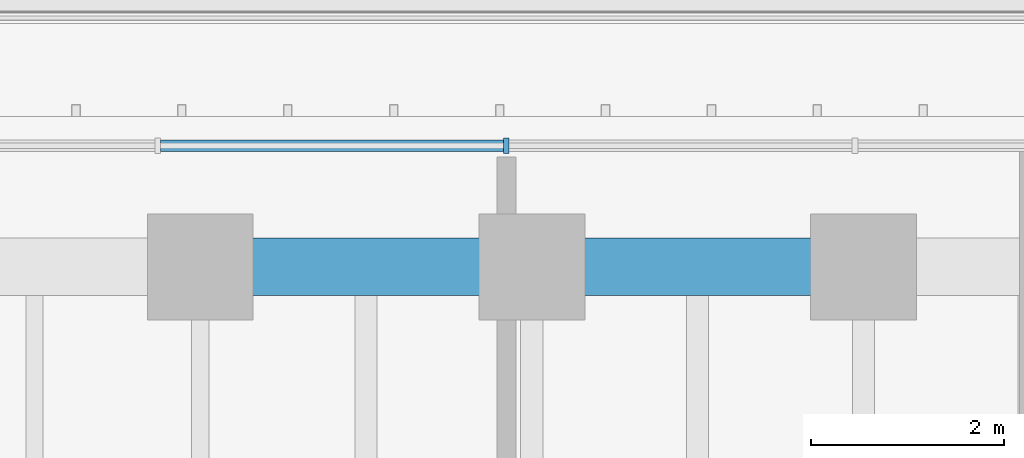
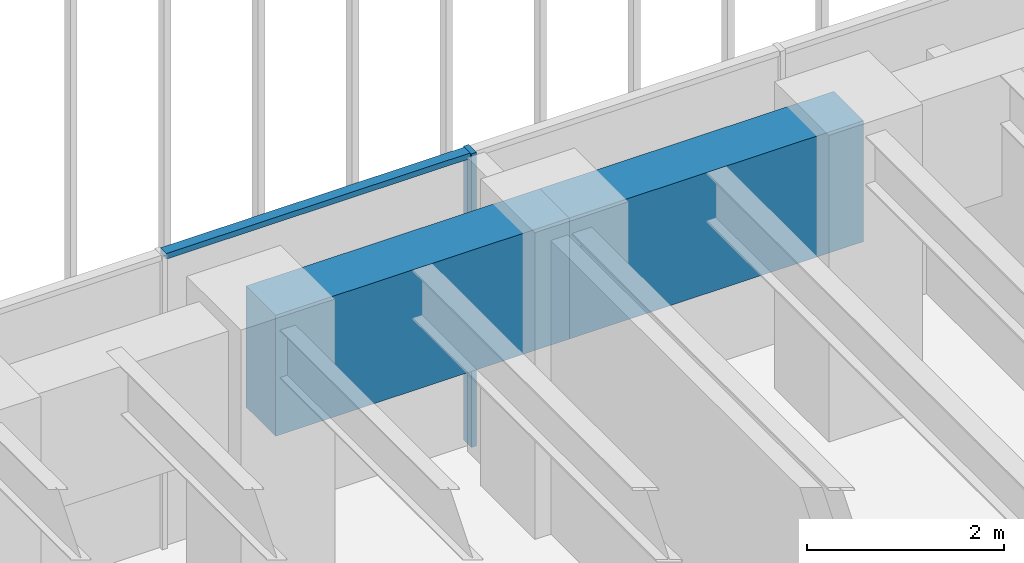
# One storey, part 76 of 127: 2 beams, 2 members, 1 element without a shape of its own.
"""IFC4 building model written with IfcOpenShell, lengths in metres."""

from ifc_helpers import new_model, si_unit, direction, frame, origin, origin_2d, place, context, subcontext, project, spatial, rectangle, extrude, material, material_profile, profile_set, type_object, element, aggregate, save


model = new_model("IFC4")

# Units and contexts
model_context = context("Model", 3, precision=1e-05, world=origin(), true_north=direction((0.0, 1.0)))
body_context = subcontext(model_context, "Body", "Model", "MODEL_VIEW")
ifc_project = project(units=[si_unit("LENGTHUNIT", "METRE"), si_unit("AREAUNIT", "SQUARE_METRE"), si_unit("VOLUMEUNIT", "CUBIC_METRE"), si_unit("PLANEANGLEUNIT", "RADIAN"), si_unit("MASSUNIT", "GRAM", prefix="KILO")], contexts=[model_context])

# Site, building, storey
site_placement = place(None, origin())
site = spatial("IfcSite", under=ifc_project, at=site_placement, CompositionType="ELEMENT")
building_placement = place(site_placement, origin())
building = spatial("IfcBuilding", under=site, at=building_placement, Name="Sandreach Pilgrim Tower", CompositionType="ELEMENT")
storey_placement = place(building_placement, frame((0.0, 0.0, 257.0)))
storey = spatial("IfcBuildingStorey", under=building, at=storey_placement, Name="L64", CompositionType="ELEMENT", Elevation=257.0)

# Curtain wall, members
ifc_material_1 = material(Name="Aluminium framed curtain wall", Category="aluminium")
curtain_wall_type = type_object("IfcCurtainWallType", Name="Suite tower curtain wall", PredefinedType="NOTDEFINED", material=ifc_material_1)
curtain_wall_placement = place(storey_placement, origin())
curtain_wall = element("IfcCurtainWall", 1, at=curtain_wall_placement, inside=storey, type_object=curtain_wall_type, Name="CW-4 L64 N", PredefinedType="NOTDEFINED")
ifc_material_2 = material(Name="Aluminium extrusion", Category="aluminium")
ifc_material_profile_1 = material_profile(ifc_material_2, rectangle(XDim=0.06005859375, YDim=0.159912109375, at=origin_2d()), Name="CW-4M 60X160")
ifc_profile_set_1 = profile_set([ifc_material_profile_1], Name="Aluminium extrusion")
member_type_1 = type_object("IfcMemberType", Name="CW-4 mullion", PredefinedType="MULLION", material=ifc_profile_set_1)
member_1_placement = place(storey_placement, frame((-5.432861328125, 19.826416015625, 0.0), z_axis=(0.0, 0.0, 1.0), x_axis=(1.0, 0.0, 0.0)))
member_1 = element("IfcMember", 2, at=member_1_placement, type_object=member_type_1, Name="CW-4 mullion 4", PredefinedType="MULLION", context=body_context, shape_type="SweptSolid", body=[
    extrude(rectangle(XDim=0.06005859375, YDim=0.159912109375, at=origin_2d()), origin(), (0.0, 0.0, 1.0), 3.639892578125),
])
ifc_material_3 = material(Name="Aluminium extrusion", Category="aluminium")
ifc_material_profile_2 = material_profile(ifc_material_3, rectangle(XDim=0.1201171875, YDim=0.070068359375, at=origin_2d()), Name="CW-4T 120X70")
ifc_profile_set_2 = profile_set([ifc_material_profile_2], Name="Aluminium extrusion")
member_type_2 = type_object("IfcMemberType", Name="CW-4 transom", PredefinedType="USERDEFINED", material=ifc_profile_set_2)
member_2_placement = place(storey_placement, frame((-9.024658203125, 19.826416015625, 3.60498046875), z_axis=(1.0, 0.0, 0.0), x_axis=(0.0, 1.0, 0.0)))
member_2 = element("IfcMember", 3, at=member_2_placement, type_object=member_type_2, Name="CW-4 head transom 3", ObjectType="TRANSOM", PredefinedType="USERDEFINED", context=body_context, shape_type="SweptSolid", body=[
    extrude(rectangle(XDim=0.1201171875, YDim=0.070068359375, at=origin_2d()), origin(), (0.0, 0.0, 1.0), 3.561767578125),
])
aggregate(curtain_wall, [member_1, member_2])

# Beams
ifc_material_4 = material(Name="Concrete 10000 psi", Category="concrete")
ifc_material_profile_3 = material_profile(ifc_material_4, rectangle(XDim=0.60009765625, YDim=1.5, at=origin_2d()), Name="RC600X1500")
ifc_profile_set_3 = profile_set([ifc_material_profile_3], Name="Concrete 10000 psi")
beam_type = type_object("IfcBeamType", Name="Spandrel beam RC600X1500", PredefinedType="SPANDREL", material=ifc_profile_set_3)
for number, where, z_axis, x_axis, name in (
    (4, (-8.612548828125, 18.56640625, 2.889892578125), (1.0, 0.0, 0.0), (0.0, 1.0, 0.0), "BM L64 SP02"),
    (5, (-5.16748046875, 18.56640625, 2.889892578125), (1.0, 0.0, 0.0), (0.0, 1.0, 0.0), "BM L64 SP03"),
):
    element("IfcBeam", number, at=place(storey_placement, frame(where, z_axis=z_axis, x_axis=x_axis)), inside=storey, type_object=beam_type, Name=name, PredefinedType="SPANDREL", context=body_context, shape_type="SweptSolid", body=[
        extrude(rectangle(XDim=0.60009765625, YDim=1.5, at=origin_2d()), origin(), (0.0, 0.0, 1.0), 3.445068359375),
    ])

save(model, "model.ifc")
